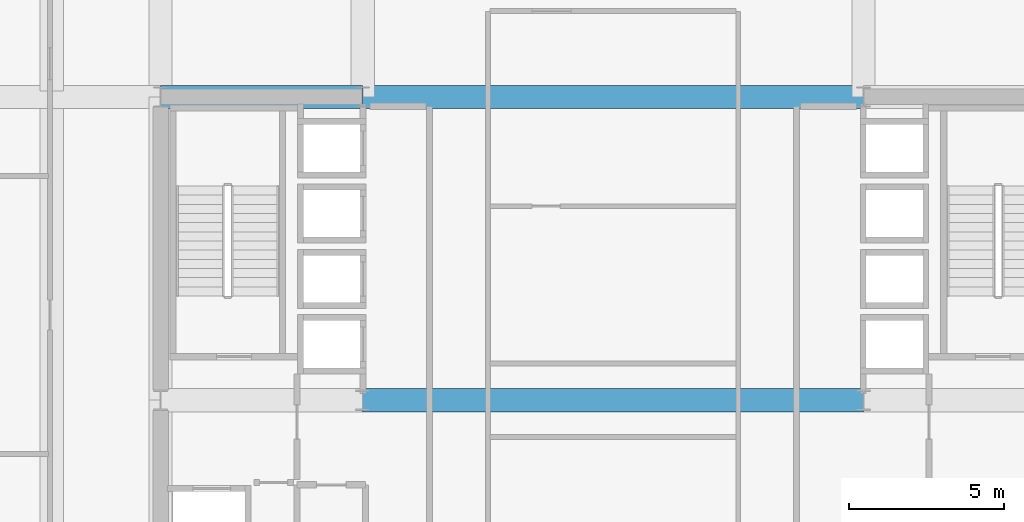
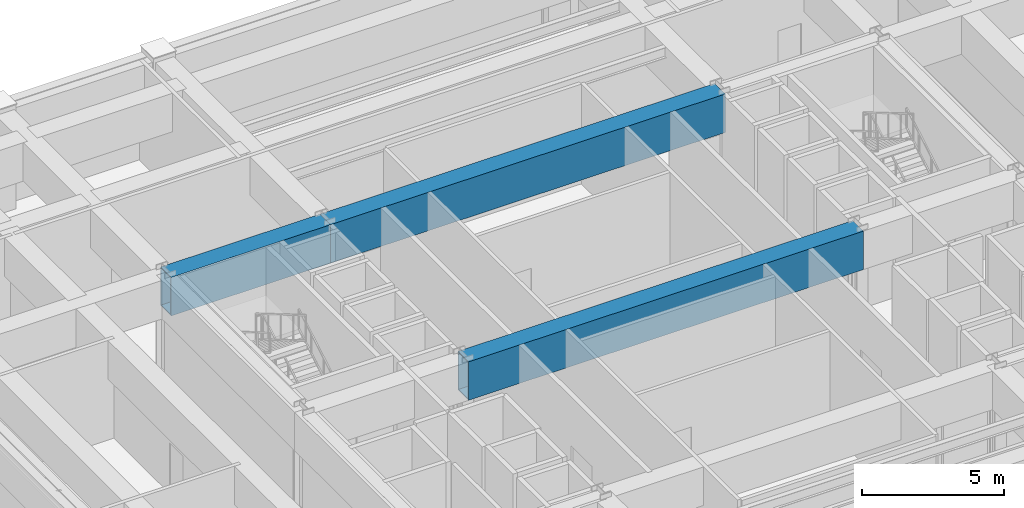
# One storey, part 10 of 29: 3 beams.
"""IFC4 building model written with IfcOpenShell, lengths in metres."""

from ifc_helpers import new_model, si_unit, direction, frame, origin, origin_2d, place, context, subcontext, project, spatial, hollow_rectangle, extrude, material, material_profile, profile_set, type_object, element, save


model = new_model("IFC4")

# Units and contexts
model_context = context("Model", 3, precision=1e-05, world=origin(), true_north=direction((0.0, 1.0)))
body_context = subcontext(model_context, "Body", "Model", "MODEL_VIEW")
ifc_project = project(units=[si_unit("LENGTHUNIT", "METRE"), si_unit("AREAUNIT", "SQUARE_METRE"), si_unit("VOLUMEUNIT", "CUBIC_METRE"), si_unit("PLANEANGLEUNIT", "RADIAN"), si_unit("MASSUNIT", "GRAM", prefix="KILO")], contexts=[model_context])

# Site, building, storey
site_placement = place(None, origin())
site = spatial("IfcSite", under=ifc_project, at=site_placement, CompositionType="ELEMENT")
building_placement = place(site_placement, origin())
building = spatial("IfcBuilding", under=site, at=building_placement, Name="Brelmoor Portico Tower", CompositionType="ELEMENT")
storey_placement = place(building_placement, frame((0.0, 0.0, 82.800048828125)))
storey = spatial("IfcBuildingStorey", under=building, at=storey_placement, Name="L21", CompositionType="ELEMENT", Elevation=82.800048828125)

# Beams
ifc_material = material(Name="Steel Q355B", Category="steel")
ifc_material_profile = material_profile(ifc_material, hollow_rectangle(XDim=0.75, YDim=1.659912109375, WallThickness=0.0419921875, at=origin_2d()), Name="BOX 750x1660x42")
ifc_profile_set = profile_set([ifc_material_profile], Name="Steel Q355B")
beam_type = type_object("IfcBeamType", Name="BM-TG-Z2", PredefinedType="BEAM", material=ifc_profile_set)
beam_1_placement = place(storey_placement, frame((-8.050048828125, 0.0, 3.469970703125), z_axis=(1.0, 0.0, 0.0), x_axis=(0.0, 1.0, 0.0)))
element("IfcBeam", 1, at=beam_1_placement, inside=storey, type_object=beam_type, Name="L21 Setback Transfer Girder PG-25", PredefinedType="BEAM", context=body_context, shape_type="SweptSolid", body=[
    extrude(hollow_rectangle(XDim=0.75, YDim=1.659912109375, WallThickness=0.0419921875, at=origin_2d()), origin(), (0.0, 0.0, 1.0), 16.10009765625),
])
beam_2_placement = place(storey_placement, frame((-14.550048828125, 9.75, 3.469970703125), z_axis=(1.0, 0.0, 0.0), x_axis=(0.0, 1.0, 0.0)))
element("IfcBeam", 2, at=beam_2_placement, inside=storey, type_object=beam_type, Name="L21 Setback Transfer Girder PG-28", PredefinedType="BEAM", context=body_context, shape_type="SweptSolid", body=[
    extrude(hollow_rectangle(XDim=0.75, YDim=1.659912109375, WallThickness=0.0419921875, at=origin_2d()), origin(), (0.0, 0.0, 1.0), 6.5),
])
beam_3_placement = place(storey_placement, frame((-8.050048828125, 9.75, 3.469970703125), z_axis=(1.0, 0.0, 0.0), x_axis=(0.0, 1.0, 0.0)))
element("IfcBeam", 3, at=beam_3_placement, inside=storey, type_object=beam_type, Name="L21 Setback Transfer Girder PG-29", PredefinedType="BEAM", context=body_context, shape_type="SweptSolid", body=[
    extrude(hollow_rectangle(XDim=0.75, YDim=1.659912109375, WallThickness=0.0419921875, at=origin_2d()), origin(), (0.0, 0.0, 1.0), 16.10009765625),
])

save(model, "model.ifc")
